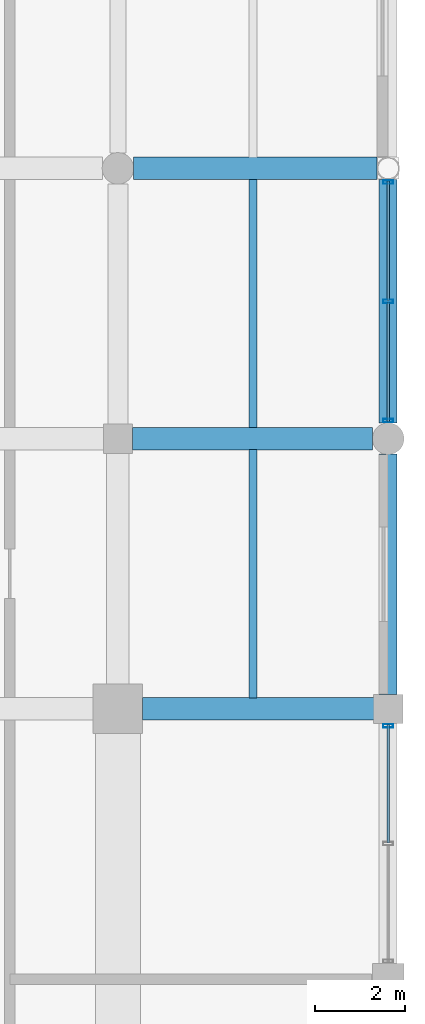
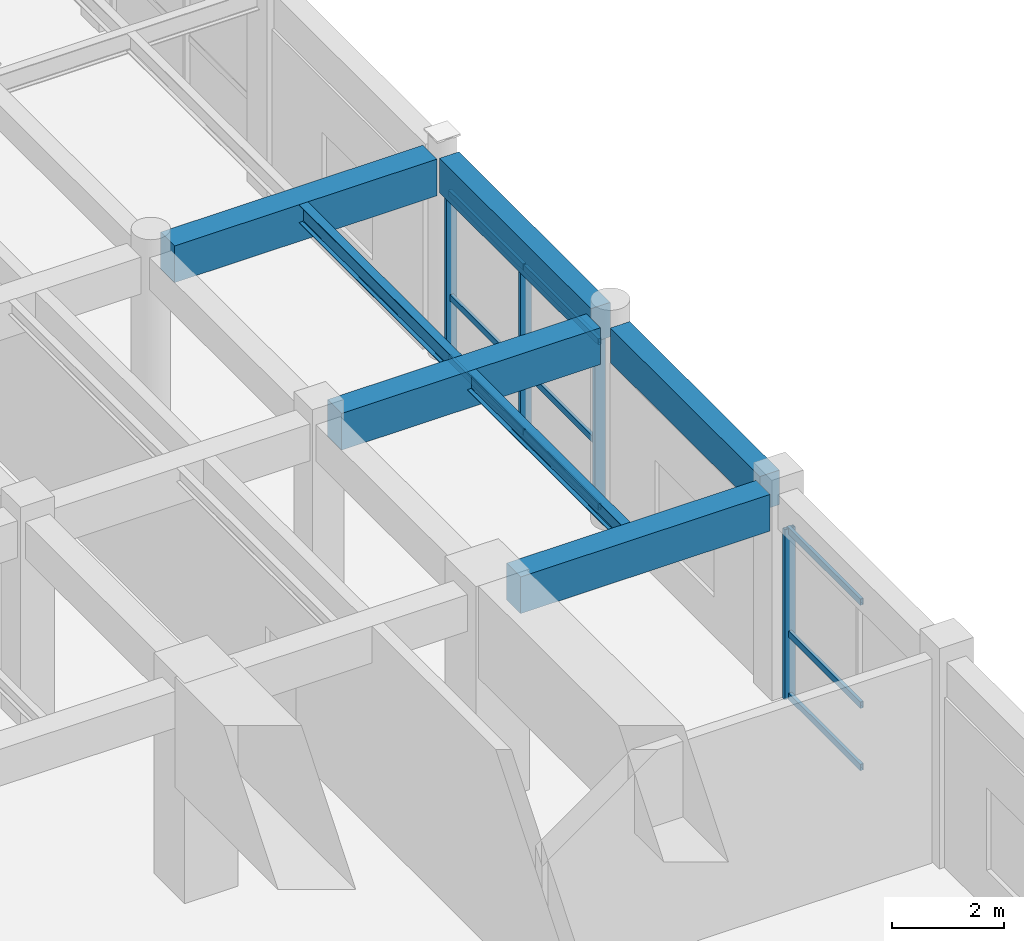
# One storey, part 74 of 123: 13 members, 7 beams, 2 elements without a shape of their own.
"""IFC4 building model written with IfcOpenShell, lengths in metres."""

from ifc_helpers import new_model, si_unit, direction, frame, origin, origin_2d, place, context, subcontext, project, spatial, rectangle, hollow_rectangle, i_section, extrude, material, material_profile, profile_set, type_object, element, aggregate, save


model = new_model("IFC4")

# Units and contexts
model_context = context("Model", 3, precision=1e-05, world=origin(), true_north=direction((0.0, 1.0)))
body_context = subcontext(model_context, "Body", "Model", "MODEL_VIEW")
ifc_project = project(units=[si_unit("LENGTHUNIT", "METRE"), si_unit("AREAUNIT", "SQUARE_METRE"), si_unit("VOLUMEUNIT", "CUBIC_METRE"), si_unit("PLANEANGLEUNIT", "RADIAN"), si_unit("MASSUNIT", "GRAM", prefix="KILO"), si_unit("THERMODYNAMICTEMPERATUREUNIT", "KELVIN"), si_unit("POWERUNIT", "WATT")], contexts=[model_context])

# Site, building, storey
site_placement = place(None, origin())
site = spatial("IfcSite", under=ifc_project, at=site_placement, CompositionType="ELEMENT")
building_placement = place(site_placement, origin())
building = spatial("IfcBuilding", under=site, at=building_placement, Name="Phaisarnlok Congress Hotel", CompositionType="ELEMENT")
storey_placement = place(building_placement, frame((0.0, 0.0, 15.0)))
storey = spatial("IfcBuildingStorey", under=building, at=storey_placement, Name="L03", CompositionType="ELEMENT", Elevation=15.0)

# Beams
ifc_material_1 = material(Name="Concrete C40/50", Category="concrete")
ifc_material_profile_1 = material_profile(ifc_material_1, rectangle(XDim=0.5, YDim=0.800048828125, at=origin_2d()), Name="RC 500x800")
ifc_profile_set_1 = profile_set([ifc_material_profile_1], Name="Concrete C40/50")
beam_type_1 = type_object("IfcBeamType", Name="BM-RC-500x800", PredefinedType="BEAM", material=ifc_profile_set_1)
beam_1_placement = place(storey_placement, frame((174.544921875, 66.0, 4.050048828125), z_axis=(1.0, 0.0, 0.0), x_axis=(0.0, 1.0, 0.0)))
element("IfcBeam", 1, at=beam_1_placement, inside=storey, type_object=beam_type_1, Name="Beam B-04", PredefinedType="BEAM", context=body_context, shape_type="SweptSolid", body=[
    extrude(rectangle(XDim=0.5, YDim=0.800048828125, at=origin_2d()), origin(), (0.0, 0.0, 1.0), 5.135009765625),
])
beam_2_placement = place(storey_placement, frame((174.320068359375, 72.0, 4.050048828125), z_axis=(1.0, 0.0, 0.0), x_axis=(0.0, 1.0, 0.0)))
element("IfcBeam", 2, at=beam_2_placement, inside=storey, type_object=beam_type_1, Name="Beam B-04", PredefinedType="BEAM", context=body_context, shape_type="SweptSolid", body=[
    extrude(rectangle(XDim=0.5, YDim=0.800048828125, at=origin_2d()), origin(), (0.0, 0.0, 1.0), 5.3349609375),
])
beam_3_placement = place(storey_placement, frame((174.344970703125, 78.0, 4.050048828125), z_axis=(1.0, 0.0, 0.0), x_axis=(0.0, 1.0, 0.0)))
element("IfcBeam", 3, at=beam_3_placement, inside=storey, type_object=beam_type_1, Name="Beam B-04", PredefinedType="BEAM", context=body_context, shape_type="SweptSolid", body=[
    extrude(rectangle(XDim=0.5, YDim=0.800048828125, at=origin_2d()), origin(), (0.0, 0.0, 1.0), 5.406005859375),
])

# Curtain wall, member
ifc_material_2 = material(Name="Thermally Broken Unitised Aluminium & Low-E Glazing", Category="aluminium")
curtain_wall_type_1 = type_object("IfcCurtainWallType", Name="CW-UNIT-30", PredefinedType="NOTDEFINED", material=ifc_material_2)
curtain_wall_1_placement = place(storey_placement, origin())
curtain_wall_1 = element("IfcCurtainWall", 4, at=curtain_wall_1_placement, inside=storey, type_object=curtain_wall_type_1, Name="Unitised curtain wall CW-30 (L03)", PredefinedType="NOTDEFINED")
ifc_material_3 = material(Name="Anodised Aluminium Alloy 6063-T6", Category="aluminium")
ifc_material_profile_2 = material_profile(ifc_material_3, hollow_rectangle(XDim=0.074951171875, YDim=0.219970703125, WallThickness=0.0048828125, at=origin_2d()), Name="ALU-M 75x220x5")
ifc_profile_set_2 = profile_set([ifc_material_profile_2], Name="Anodised Aluminium Alloy 6063-T6")
member_type_1 = type_object("IfcMemberType", Name="CWM-220", PredefinedType="MULLION", material=ifc_profile_set_2)
member_1_placement = place(storey_placement, frame((180.0, 65.625, 0.0), z_axis=(0.0, 0.0, 1.0), x_axis=(0.0, 1.0, 0.0)))
member_1 = element("IfcMember", 5, at=member_1_placement, type_object=member_type_1, Name="Curtain wall mullion CWM-02", PredefinedType="MULLION", context=body_context, shape_type="SweptSolid", body=[
    extrude(hollow_rectangle(XDim=0.074951171875, YDim=0.219970703125, WallThickness=0.0048828125, at=origin_2d()), origin(), (0.0, 0.0, 1.0), 3.699951171875),
])

# Curtain wall, members
curtain_wall_type_2 = type_object("IfcCurtainWallType", Name="CW-UNIT-31", PredefinedType="NOTDEFINED", material=ifc_material_2)
curtain_wall_2_placement = place(storey_placement, origin())
curtain_wall_2 = element("IfcCurtainWall", 6, at=curtain_wall_2_placement, inside=storey, type_object=curtain_wall_type_2, Name="Unitised curtain wall CW-31 (L03)", PredefinedType="NOTDEFINED")
member_2_placement = place(storey_placement, frame((180.0, 72.39990234375, 0.0), z_axis=(0.0, 0.0, 1.0), x_axis=(0.0, 1.0, 0.0)))
member_2 = element("IfcMember", 7, at=member_2_placement, type_object=member_type_1, Name="Curtain wall mullion CWM-02", PredefinedType="MULLION", context=body_context, shape_type="SweptSolid", body=[
    extrude(hollow_rectangle(XDim=0.074951171875, YDim=0.219970703125, WallThickness=0.0048828125, at=origin_2d()), origin(), (0.0, 0.0, 1.0), 3.699951171875),
])
member_3_placement = place(storey_placement, frame((180.0, 75.048095703125, 0.0), z_axis=(0.0, 0.0, 1.0), x_axis=(0.0, 1.0, 0.0)))
member_3 = element("IfcMember", 8, at=member_3_placement, type_object=member_type_1, Name="Curtain wall mullion CWM-02", PredefinedType="MULLION", context=body_context, shape_type="SweptSolid", body=[
    extrude(hollow_rectangle(XDim=0.074951171875, YDim=0.219970703125, WallThickness=0.0048828125, at=origin_2d()), origin(), (0.0, 0.0, 1.0), 3.699951171875),
])
member_4_placement = place(storey_placement, frame((180.0, 77.696044921875, 0.0), z_axis=(0.0, 0.0, 1.0), x_axis=(0.0, 1.0, 0.0)))
member_4 = element("IfcMember", 9, at=member_4_placement, type_object=member_type_1, Name="Curtain wall mullion CWM-02", PredefinedType="MULLION", context=body_context, shape_type="SweptSolid", body=[
    extrude(hollow_rectangle(XDim=0.074951171875, YDim=0.219970703125, WallThickness=0.0048828125, at=origin_2d()), origin(), (0.0, 0.0, 1.0), 3.699951171875),
])

# Member
ifc_material_profile_3 = material_profile(ifc_material_3, hollow_rectangle(XDim=0.06494140625, YDim=0.139892578125, WallThickness=0.00390625, at=origin_2d()), Name="ALU-T 65x140x4")
ifc_profile_set_3 = profile_set([ifc_material_profile_3], Name="Anodised Aluminium Alloy 6063-T6")
member_type_2 = type_object("IfcMemberType", Name="CWT-150", PredefinedType="USERDEFINED", material=ifc_profile_set_3)
member_5_placement = place(storey_placement, frame((180.0, 63.027587890625, 0.050048828125), z_axis=(0.0, 1.0, 0.0), x_axis=(-1.0, 0.0, 0.0)))
member_5 = element("IfcMember", 10, at=member_5_placement, type_object=member_type_2, Name="Curtain wall transom CWT-01", ObjectType="TRANSOM", PredefinedType="USERDEFINED", context=body_context, shape_type="SweptSolid", body=[
    extrude(hollow_rectangle(XDim=0.06494140625, YDim=0.139892578125, WallThickness=0.00390625, at=origin_2d()), origin(), (0.0, 0.0, 1.0), 2.622314453125),
])

member_6_placement = place(storey_placement, frame((180.0, 63.027587890625, 1.406005859375), z_axis=(0.0, 1.0, 0.0), x_axis=(-1.0, 0.0, 0.0)))
member_6 = element("IfcMember", 11, at=member_6_placement, type_object=member_type_2, Name="Curtain wall transom CWT-01", ObjectType="TRANSOM", PredefinedType="USERDEFINED", context=body_context, shape_type="SweptSolid", body=[
    extrude(hollow_rectangle(XDim=0.06494140625, YDim=0.139892578125, WallThickness=0.00390625, at=origin_2d()), origin(), (0.0, 0.0, 1.0), 2.622314453125),
])

member_7_placement = place(storey_placement, frame((180.0, 63.027587890625, 3.64990234375), z_axis=(0.0, 1.0, 0.0), x_axis=(-1.0, 0.0, 0.0)))
member_7 = element("IfcMember", 12, at=member_7_placement, type_object=member_type_2, Name="Curtain wall transom CWT-01", ObjectType="TRANSOM", PredefinedType="USERDEFINED", context=body_context, shape_type="SweptSolid", body=[
    extrude(hollow_rectangle(XDim=0.06494140625, YDim=0.139892578125, WallThickness=0.00390625, at=origin_2d()), origin(), (0.0, 0.0, 1.0), 2.622314453125),
])

aggregate(curtain_wall_1, [member_1, member_5, member_6, member_7])

member_8_placement = place(storey_placement, frame((180.0, 72.375, 0.050048828125), z_axis=(0.0, 1.0, 0.0), x_axis=(-1.0, 0.0, 0.0)))
member_8 = element("IfcMember", 13, at=member_8_placement, type_object=member_type_2, Name="Curtain wall transom CWT-01", ObjectType="TRANSOM", PredefinedType="USERDEFINED", context=body_context, shape_type="SweptSolid", body=[
    extrude(hollow_rectangle(XDim=0.06494140625, YDim=0.139892578125, WallThickness=0.00390625, at=origin_2d()), origin(), (0.0, 0.0, 1.0), 2.657958984375),
])

member_9_placement = place(storey_placement, frame((180.0, 72.375, 1.406005859375), z_axis=(0.0, 1.0, 0.0), x_axis=(-1.0, 0.0, 0.0)))
member_9 = element("IfcMember", 14, at=member_9_placement, type_object=member_type_2, Name="Curtain wall transom CWT-01", ObjectType="TRANSOM", PredefinedType="USERDEFINED", context=body_context, shape_type="SweptSolid", body=[
    extrude(hollow_rectangle(XDim=0.06494140625, YDim=0.139892578125, WallThickness=0.00390625, at=origin_2d()), origin(), (0.0, 0.0, 1.0), 2.657958984375),
])

member_10_placement = place(storey_placement, frame((180.0, 72.375, 3.64990234375), z_axis=(0.0, 1.0, 0.0), x_axis=(-1.0, 0.0, 0.0)))
member_10 = element("IfcMember", 15, at=member_10_placement, type_object=member_type_2, Name="Curtain wall transom CWT-01", ObjectType="TRANSOM", PredefinedType="USERDEFINED", context=body_context, shape_type="SweptSolid", body=[
    extrude(hollow_rectangle(XDim=0.06494140625, YDim=0.139892578125, WallThickness=0.00390625, at=origin_2d()), origin(), (0.0, 0.0, 1.0), 2.657958984375),
])

member_11_placement = place(storey_placement, frame((180.0, 75.06298828125, 0.050048828125), z_axis=(0.0, 1.0, 0.0), x_axis=(-1.0, 0.0, 0.0)))
member_11 = element("IfcMember", 16, at=member_11_placement, type_object=member_type_2, Name="Curtain wall transom CWT-01", ObjectType="TRANSOM", PredefinedType="USERDEFINED", context=body_context, shape_type="SweptSolid", body=[
    extrude(hollow_rectangle(XDim=0.06494140625, YDim=0.139892578125, WallThickness=0.00390625, at=origin_2d()), origin(), (0.0, 0.0, 1.0), 2.657958984375),
])

member_12_placement = place(storey_placement, frame((180.0, 75.06298828125, 1.406005859375), z_axis=(0.0, 1.0, 0.0), x_axis=(-1.0, 0.0, 0.0)))
member_12 = element("IfcMember", 17, at=member_12_placement, type_object=member_type_2, Name="Curtain wall transom CWT-01", ObjectType="TRANSOM", PredefinedType="USERDEFINED", context=body_context, shape_type="SweptSolid", body=[
    extrude(hollow_rectangle(XDim=0.06494140625, YDim=0.139892578125, WallThickness=0.00390625, at=origin_2d()), origin(), (0.0, 0.0, 1.0), 2.657958984375),
])

member_13_placement = place(storey_placement, frame((180.0, 75.06298828125, 3.64990234375), z_axis=(0.0, 1.0, 0.0), x_axis=(-1.0, 0.0, 0.0)))
member_13 = element("IfcMember", 18, at=member_13_placement, type_object=member_type_2, Name="Curtain wall transom CWT-01", ObjectType="TRANSOM", PredefinedType="USERDEFINED", context=body_context, shape_type="SweptSolid", body=[
    extrude(hollow_rectangle(XDim=0.06494140625, YDim=0.139892578125, WallThickness=0.00390625, at=origin_2d()), origin(), (0.0, 0.0, 1.0), 2.657958984375),
])

aggregate(curtain_wall_2, [member_2, member_3, member_4, member_8, member_9, member_10, member_11, member_12, member_13])

# Beams
ifc_material_4 = material(Name="Steel S355", Category="steel")
ifc_material_profile_4 = material_profile(ifc_material_4, i_section(OverallWidth=0.179931640625, OverallDepth=0.39990234375, WebThickness=0.008544921875, FlangeThickness=0.013427734375, FilletRadius=0.02099609375, at=origin_2d()), Name="IPE 400")
ifc_profile_set_4 = profile_set([ifc_material_profile_4], Name="Steel S355")
beam_type_2 = type_object("IfcBeamType", Name="JS-STL-IPE400", PredefinedType="JOIST", material=ifc_profile_set_4)
for number, where, z_axis, x_axis, name in (
    (19, (177.0, 66.2451171875, 4.25), (0.0, 1.0, 0.0), (-1.0, 0.0, 0.0), "Secondary floor joist J-05"),
    (20, (177.0, 72.2451171875, 4.25), (0.0, 1.0, 0.0), (-1.0, 0.0, 0.0), "Secondary floor joist J-05"),
):
    element("IfcBeam", number, at=place(storey_placement, frame(where, z_axis=z_axis, x_axis=x_axis)), inside=storey, type_object=beam_type_2, Name=name, PredefinedType="JOIST", context=body_context, shape_type="SweptSolid", body=[
        extrude(i_section(OverallWidth=0.179931640625, OverallDepth=0.39990234375, WebThickness=0.008544921875, FlangeThickness=0.013427734375, FilletRadius=0.02099609375, at=origin_2d()), origin(), (0.0, 0.0, 1.0), 5.509765625),
    ])
ifc_material_profile_5 = material_profile(ifc_material_1, rectangle(XDim=0.39990234375, YDim=0.75, at=origin_2d()), Name="RC 400x750")
ifc_profile_set_5 = profile_set([ifc_material_profile_5], Name="Concrete C40/50")
beam_type_3 = type_object("IfcBeamType", Name="SP-RC-400x750", PredefinedType="SPANDREL", material=ifc_profile_set_5)
beam_4_placement = place(storey_placement, frame((180.0, 66.320068359375, 4.074951171875), z_axis=(0.0, 1.0, 0.0), x_axis=(-1.0, 0.0, 0.0)))
element("IfcBeam", 21, at=beam_4_placement, inside=storey, type_object=beam_type_3, Name="Beam SP-02", PredefinedType="SPANDREL", context=body_context, shape_type="SweptSolid", body=[
    extrude(rectangle(XDim=0.39990234375, YDim=0.75, at=origin_2d()), origin(), (0.0, 0.0, 1.0), 5.3349609375),
])
beam_5_placement = place(storey_placement, frame((180.0, 72.344970703125, 4.074951171875), z_axis=(0.0, 1.0, 0.0), x_axis=(-1.0, 0.0, 0.0)))
element("IfcBeam", 22, at=beam_5_placement, inside=storey, type_object=beam_type_3, Name="Beam SP-02", PredefinedType="SPANDREL", context=body_context, shape_type="SweptSolid", body=[
    extrude(rectangle(XDim=0.39990234375, YDim=0.75, at=origin_2d()), origin(), (0.0, 0.0, 1.0), 5.406005859375),
])

save(model, "model.ifc")
